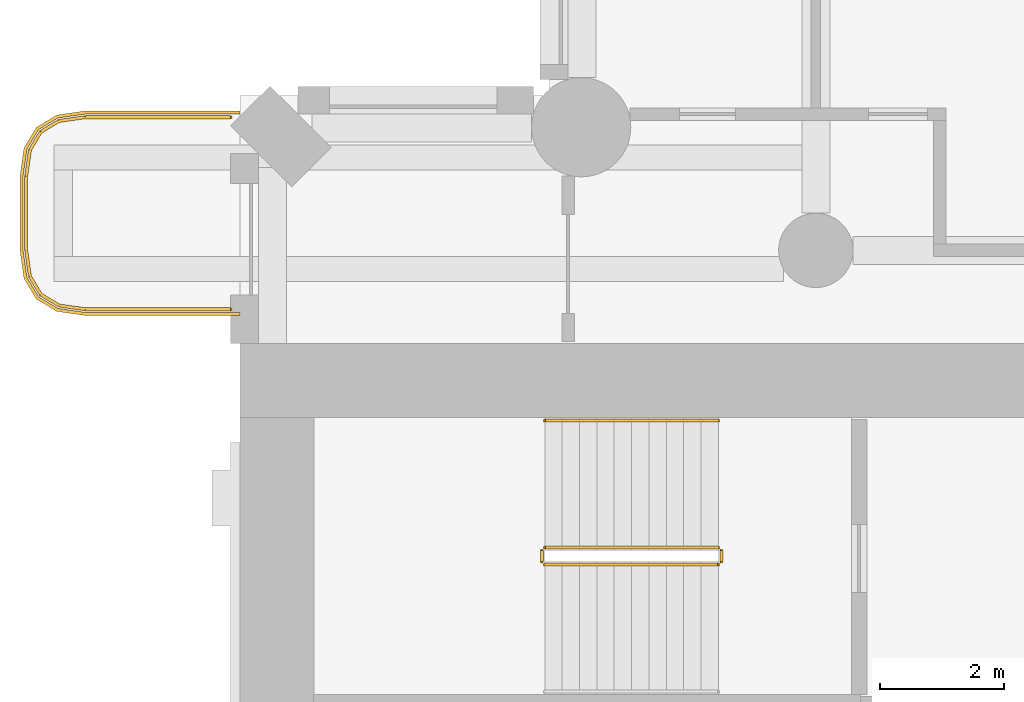
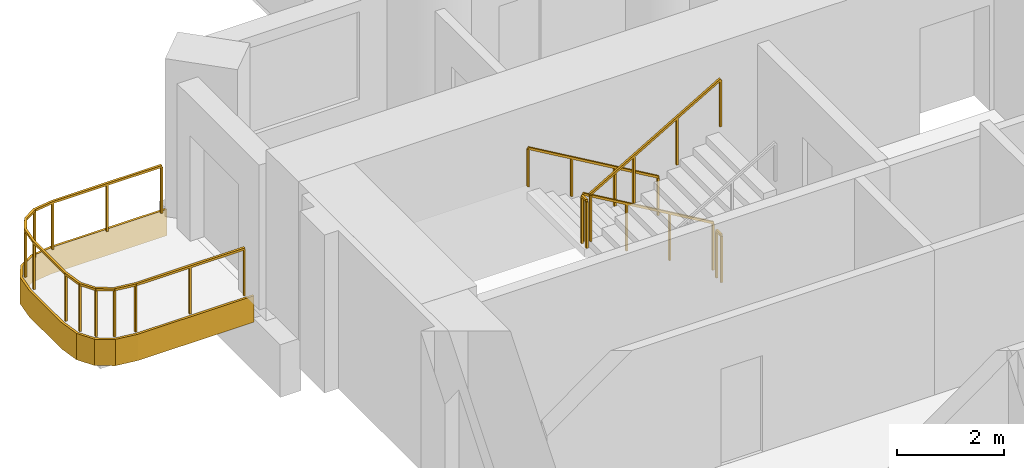
# One storey, part 17 of 20: 6 railings, 1 covering.
"""IFC4 building model written with IfcOpenShell, lengths in metres."""

from ifc_helpers import new_model, si_unit, direction, frame, origin, origin_2d, place, context, subcontext, project, spatial, polyline, rectangle, outline, extrude, material, layer, layer_set, type_object, element, save


model = new_model("IFC4")

# Units and contexts
model_context = context("Model", 3, precision=1e-05, world=origin(), true_north=direction((0.0, 1.0)))
body_context = subcontext(model_context, "Body", "Model", "MODEL_VIEW")
ifc_project = project(units=[si_unit("LENGTHUNIT", "METRE"), si_unit("AREAUNIT", "SQUARE_METRE"), si_unit("VOLUMEUNIT", "CUBIC_METRE"), si_unit("PLANEANGLEUNIT", "RADIAN"), si_unit("MASSUNIT", "GRAM", prefix="KILO")], contexts=[model_context])

# Site, building, storey
site_placement = place(None, origin())
site = spatial("IfcSite", under=ifc_project, at=site_placement, CompositionType="ELEMENT")
building_placement = place(site_placement, origin())
building = spatial("IfcBuilding", under=site, at=building_placement, Name="Cypress Arch Tower", CompositionType="ELEMENT")
storey_placement = place(building_placement, frame((0.0, 0.0, 59.10009765625)))
storey = spatial("IfcBuildingStorey", under=building, at=storey_placement, Name="L08", CompositionType="ELEMENT", Elevation=59.10009765625)

# Covering
ifc_material_1 = material(Name="White powder-coated aluminium fascia", Category="aluminium")
ifc_layer = layer(ifc_material_1, 0.050048828125)
ifc_layer_set = layer_set([ifc_layer], Name="Balcony fascia BF50")
covering_type = type_object("IfcCoveringType", Name="Balcony fascia BF50", PredefinedType="CLADDING", material=ifc_layer_set)
covering_placement = place(storey_placement, frame((0.0, 0.0, -0.60009765625)))
element("IfcCovering", 1, at=covering_placement, inside=storey, type_object=covering_type, Name="Balcony fascia L08-A00W0", PredefinedType="CLADDING", context=body_context, shape_type="SweptSolid", body=[
    extrude(outline(polyline([(-32.503662109375, 16.449951171875), (-32.95458984375, 16.514404296875), (-33.286376953125, 16.713623046875), (-33.485595703125, 17.04541015625), (-33.550048828125, 17.496337890625), (-33.550048828125, 18.70361328125), (-33.485595703125, 19.154541015625), (-33.286376953125, 19.486328125), (-32.95458984375, 19.685546875), (-32.503662109375, 19.75), (-30.0009765625, 19.75), (-30.0009765625, 19.699951171875), (-32.5, 19.699951171875), (-32.9375, 19.637451171875), (-33.25, 19.449951171875), (-33.4375, 19.137451171875), (-33.5, 18.699951171875), (-33.5, 17.5), (-33.4375, 17.0625), (-33.25, 16.75), (-32.9375, 16.5625), (-32.5, 16.5), (-30.0009765625, 16.5), (-30.0009765625, 16.449951171875), (-32.503662109375, 16.449951171875)])), origin(), (0.0, 0.0, 1.0), 0.60009765625),
])

# Railings
ifc_material_2 = material(Name="Powder-coated steel posts and rods, 100 mm clear between rods", Category="steel")
railing_type_1 = type_object("IfcRailingType", Name="Balcony guard GR1100", PredefinedType="GUARDRAIL", material=ifc_material_2)
railing_1_placement = place(storey_placement, frame((-30.14990234375, 16.550048828125, 0.0)))
element("IfcRailing", 2, at=railing_1_placement, inside=storey, type_object=railing_type_1, Name="Balcony guard L08-A00W0", PredefinedType="GUARDRAIL", context=body_context, shape_type="SweptSolid", body=[
    extrude(rectangle(XDim=0.050048828125, YDim=0.050048828125, at=origin_2d()), frame((0.0, 0.0, 1.0751953125), z_axis=(-1.0, 0.0, 0.0), x_axis=(0.0, -1.0, 0.0)), (0.0, 0.0, 1.0), 2.346435546875),
    extrude(rectangle(XDim=0.050048828125, YDim=0.050048828125, at=origin_2d()), frame((-2.346435546875, 0.0, 1.0751953125), z_axis=(-0.989960888959, 0.141341566184, 0.0), x_axis=(-0.141341566184, -0.989960888959, 0.0)), (0.0, 0.0, 1.0), 0.428466796875),
    extrude(rectangle(XDim=0.050048828125, YDim=0.050048828125, at=origin_2d()), frame((-2.7705078125, 0.060546875, 1.0751953125), z_axis=(-0.857681904839, 0.514180659021, 0.0), x_axis=(-0.514180659021, -0.857681904839, 0.0)), (0.0, 0.0, 1.0), 0.341796875),
    extrude(rectangle(XDim=0.050048828125, YDim=0.050048828125, at=origin_2d()), frame((-3.063720703125, 0.236328125, 1.0751953125), z_axis=(-0.514180659021, 0.857681904839, 0.0), x_axis=(-0.857681904839, -0.514180659021, 0.0)), (0.0, 0.0, 1.0), 0.341796875),
    extrude(rectangle(XDim=0.050048828125, YDim=0.050048828125, at=origin_2d()), frame((-3.239501953125, 0.529541015625, 1.0751953125), z_axis=(-0.141341566184, 0.989960888959, 0.0), x_axis=(-0.989960888959, -0.141341566184, 0.0)), (0.0, 0.0, 1.0), 0.428466796875),
    extrude(rectangle(XDim=0.050048828125, YDim=0.050048828125, at=origin_2d()), frame((-3.300048828125, 0.95361328125, 1.0751953125), z_axis=(0.0, 1.0, 0.0), x_axis=(-1.0, 0.0, 0.0)), (0.0, 0.0, 1.0), 1.19287109375),
    extrude(rectangle(XDim=0.050048828125, YDim=0.050048828125, at=origin_2d()), frame((-3.300048828125, 2.146484375, 1.0751953125), z_axis=(0.141421356237, 0.989949493661, 0.0), x_axis=(-0.989949493661, 0.141421356237, 0.0)), (0.0, 0.0, 1.0), 0.42822265625),
    extrude(rectangle(XDim=0.050048828125, YDim=0.050048828125, at=origin_2d()), frame((-3.239501953125, 2.5703125, 1.0751953125), z_axis=(0.514180659021, 0.857681904839, 0.0), x_axis=(-0.857681904839, 0.514180659021, 0.0)), (0.0, 0.0, 1.0), 0.341796875),
    extrude(rectangle(XDim=0.050048828125, YDim=0.050048828125, at=origin_2d()), frame((-3.063720703125, 2.863525390625, 1.0751953125), z_axis=(0.857681904839, 0.514180659021, 0.0), x_axis=(-0.514180659021, 0.857681904839, 0.0)), (0.0, 0.0, 1.0), 0.341796875),
    extrude(rectangle(XDim=0.050048828125, YDim=0.050048828125, at=origin_2d()), frame((-2.7705078125, 3.039306640625, 1.0751953125), z_axis=(0.989960888959, 0.141341566184, 0.0), x_axis=(-0.141341566184, 0.989960888959, 0.0)), (0.0, 0.0, 1.0), 0.428466796875),
    extrude(rectangle(XDim=0.050048828125, YDim=0.050048828125, at=origin_2d()), frame((-2.346435546875, 3.099853515625, 1.0751953125), z_axis=(1.0, 0.0, 0.0), x_axis=(0.0, 1.0, 0.0)), (0.0, 0.0, 1.0), 2.346435546875),
    extrude(rectangle(XDim=0.0400390625, YDim=0.0400390625, at=origin_2d()), origin(), (0.0, 0.0, 1.0), 1.050048828125),
    extrude(rectangle(XDim=0.0400390625, YDim=0.0400390625, at=origin_2d()), frame((-1.17333984375, 0.0, 0.0)), (0.0, 0.0, 1.0), 1.050048828125),
    extrude(rectangle(XDim=0.0400390625, YDim=0.0400390625, at=origin_2d()), frame((-2.346435546875, 0.0, 0.0)), (0.0, 0.0, 1.0), 1.050048828125),
    extrude(rectangle(XDim=0.0400390625, YDim=0.0400390625, at=origin_2d()), frame((-2.7705078125, 0.060546875, 0.0)), (0.0, 0.0, 1.0), 1.050048828125),
    extrude(rectangle(XDim=0.0400390625, YDim=0.0400390625, at=origin_2d()), frame((-3.063720703125, 0.236328125, 0.0)), (0.0, 0.0, 1.0), 1.050048828125),
    extrude(rectangle(XDim=0.0400390625, YDim=0.0400390625, at=origin_2d()), frame((-3.239501953125, 0.529541015625, 0.0)), (0.0, 0.0, 1.0), 1.050048828125),
    extrude(rectangle(XDim=0.0400390625, YDim=0.0400390625, at=origin_2d()), frame((-3.300048828125, 0.95361328125, 0.0)), (0.0, 0.0, 1.0), 1.050048828125),
    extrude(rectangle(XDim=0.0400390625, YDim=0.0400390625, at=origin_2d()), frame((-3.300048828125, 2.146484375, 0.0)), (0.0, 0.0, 1.0), 1.050048828125),
    extrude(rectangle(XDim=0.0400390625, YDim=0.0400390625, at=origin_2d()), frame((-3.239501953125, 2.5703125, 0.0)), (0.0, 0.0, 1.0), 1.050048828125),
    extrude(rectangle(XDim=0.0400390625, YDim=0.0400390625, at=origin_2d()), frame((-3.063720703125, 2.863525390625, 0.0)), (0.0, 0.0, 1.0), 1.050048828125),
    extrude(rectangle(XDim=0.0400390625, YDim=0.0400390625, at=origin_2d()), frame((-2.7705078125, 3.039306640625, 0.0)), (0.0, 0.0, 1.0), 1.050048828125),
    extrude(rectangle(XDim=0.0400390625, YDim=0.0400390625, at=origin_2d()), frame((-2.346435546875, 3.099853515625, 0.0)), (0.0, 0.0, 1.0), 1.050048828125),
    extrude(rectangle(XDim=0.0400390625, YDim=0.0400390625, at=origin_2d()), frame((-1.17333984375, 3.099853515625, 0.0)), (0.0, 0.0, 1.0), 1.050048828125),
    extrude(rectangle(XDim=0.0400390625, YDim=0.0400390625, at=origin_2d()), frame((0.0, 3.099853515625, 0.0)), (0.0, 0.0, 1.0), 1.050048828125),
])
ifc_material_3 = material(Name="Black powder-coated steel square bar 48 mm", Category="steel")
railing_type_2 = type_object("IfcRailingType", Name="Stair handrail HR1", PredefinedType="HANDRAIL", material=ifc_material_3)
railing_2_placement = place(storey_placement, frame((-22.27490234375, 14.75, 0.16357421875)))
element("IfcRailing", 3, at=railing_2_placement, inside=storey, type_object=railing_type_2, Name="L08 B stair handrail 1", PredefinedType="HANDRAIL", context=body_context, shape_type="SweptSolid", body=[
    extrude(rectangle(XDim=0.048095703125, YDim=0.048095703125, at=origin_2d()), frame((0.0, 0.0, 0.8759765625), z_axis=(-0.863393664356, 0.0, 0.504530851732), x_axis=(0.0, -1.0, 0.0)), (0.0, 0.0, 1.0), 3.2431640625),
    extrude(rectangle(XDim=0.0419921875, YDim=0.0419921875, at=origin_2d()), origin(), (0.0, 0.0, 1.0), 0.851806640625),
    extrude(rectangle(XDim=0.0419921875, YDim=0.0419921875, at=origin_2d()), frame((-0.933349609375, 0.0, 0.54541015625)), (0.0, 0.0, 1.0), 0.851806640625),
    extrude(rectangle(XDim=0.0419921875, YDim=0.0419921875, at=origin_2d()), frame((-1.86669921875, 0.0, 1.0908203125)), (0.0, 0.0, 1.0), 0.851806640625),
    extrude(rectangle(XDim=0.0419921875, YDim=0.0419921875, at=origin_2d()), frame((-2.800048828125, 0.0, 1.63623046875)), (0.0, 0.0, 1.0), 0.851806640625),
])
ifc_material_4 = material(Name="Black powder-coated steel balusters", Category="steel")
railing_type_3 = type_object("IfcRailingType", Name="Stair well guard G1", PredefinedType="GUARDRAIL", material=ifc_material_4)
railing_3_placement = place(storey_placement, frame((-22.27490234375, 12.699951171875, 0.16357421875)))
element("IfcRailing", 4, at=railing_3_placement, inside=storey, type_object=railing_type_3, Name="L08 B stair guard 1", PredefinedType="GUARDRAIL", context=body_context, shape_type="SweptSolid", body=[
    extrude(rectangle(XDim=0.048095703125, YDim=0.048095703125, at=origin_2d()), frame((0.0, 0.0, 1.076171875), z_axis=(-0.863393664356, 0.0, 0.504530851732), x_axis=(0.0, -1.0, 0.0)), (0.0, 0.0, 1.0), 3.2431640625),
    extrude(rectangle(XDim=0.0419921875, YDim=0.0419921875, at=origin_2d()), origin(), (0.0, 0.0, 1.0), 1.052001953125),
    extrude(rectangle(XDim=0.0419921875, YDim=0.0419921875, at=origin_2d()), frame((-0.933349609375, 0.0, 0.54541015625)), (0.0, 0.0, 1.0), 1.052001953125),
    extrude(rectangle(XDim=0.0419921875, YDim=0.0419921875, at=origin_2d()), frame((-1.86669921875, 0.0, 1.0908203125)), (0.0, 0.0, 1.0), 1.052001953125),
    extrude(rectangle(XDim=0.0419921875, YDim=0.0419921875, at=origin_2d()), frame((-2.800048828125, 0.0, 1.63623046875)), (0.0, 0.0, 1.0), 1.052001953125),
])
railing_4_placement = place(storey_placement, frame((-25.125, 12.64990234375, 1.7998046875)))
element("IfcRailing", 5, at=railing_4_placement, inside=storey, type_object=railing_type_3, Name="L08 B stair guard 2", PredefinedType="GUARDRAIL", context=body_context, shape_type="SweptSolid", body=[
    extrude(rectangle(XDim=0.048095703125, YDim=0.048095703125, at=origin_2d()), frame((0.0, 0.0, 1.076171875), z_axis=(0.0, -1.0, 0.0), x_axis=(1.0, 0.0, 0.0)), (0.0, 0.0, 1.0), 0.1748046875),
    extrude(rectangle(XDim=0.0419921875, YDim=0.0419921875, at=origin_2d()), origin(), (0.0, 0.0, 1.0), 1.052001953125),
    extrude(rectangle(XDim=0.0419921875, YDim=0.0419921875, at=origin_2d()), frame((0.0, -0.1748046875, 0.0)), (0.0, 0.0, 1.0), 1.052001953125),
])
railing_5_placement = place(storey_placement, frame((-25.074951171875, 12.425048828125, 1.963623046875)))
element("IfcRailing", 6, at=railing_5_placement, inside=storey, type_object=railing_type_3, Name="L08 B stair guard 3", PredefinedType="GUARDRAIL", context=body_context, shape_type="SweptSolid", body=[
    extrude(rectangle(XDim=0.048095703125, YDim=0.048095703125, at=origin_2d()), frame((0.0, 0.0, 1.076171875), z_axis=(0.863393664356, 0.0, 0.504530851732), x_axis=(0.0, 1.0, 0.0)), (0.0, 0.0, 1.0), 3.2431640625),
    extrude(rectangle(XDim=0.0419921875, YDim=0.0419921875, at=origin_2d()), origin(), (0.0, 0.0, 1.0), 1.052001953125),
    extrude(rectangle(XDim=0.0419921875, YDim=0.0419921875, at=origin_2d()), frame((0.933349609375, 0.0, 0.54541015625)), (0.0, 0.0, 1.0), 1.052001953125),
    extrude(rectangle(XDim=0.0419921875, YDim=0.0419921875, at=origin_2d()), frame((1.86669921875, 0.0, 1.0908203125)), (0.0, 0.0, 1.0), 1.052001953125),
    extrude(rectangle(XDim=0.0419921875, YDim=0.0419921875, at=origin_2d()), frame((2.800048828125, 0.0, 1.63623046875)), (0.0, 0.0, 1.0), 1.052001953125),
])
railing_6_placement = place(storey_placement, frame((-22.22509765625, 12.64990234375, 0.0)))
element("IfcRailing", 7, at=railing_6_placement, inside=storey, type_object=railing_type_3, Name="L08 B stair guard 4", PredefinedType="GUARDRAIL", context=body_context, shape_type="SweptSolid", body=[
    extrude(rectangle(XDim=0.048095703125, YDim=0.048095703125, at=origin_2d()), frame((0.0, 0.0, 1.076171875), z_axis=(0.0, -1.0, 0.0), x_axis=(1.0, 0.0, 0.0)), (0.0, 0.0, 1.0), 0.1748046875),
    extrude(rectangle(XDim=0.0419921875, YDim=0.0419921875, at=origin_2d()), origin(), (0.0, 0.0, 1.0), 1.052001953125),
    extrude(rectangle(XDim=0.0419921875, YDim=0.0419921875, at=origin_2d()), frame((0.0, -0.1748046875, 0.0)), (0.0, 0.0, 1.0), 1.052001953125),
])

save(model, "model.ifc")
